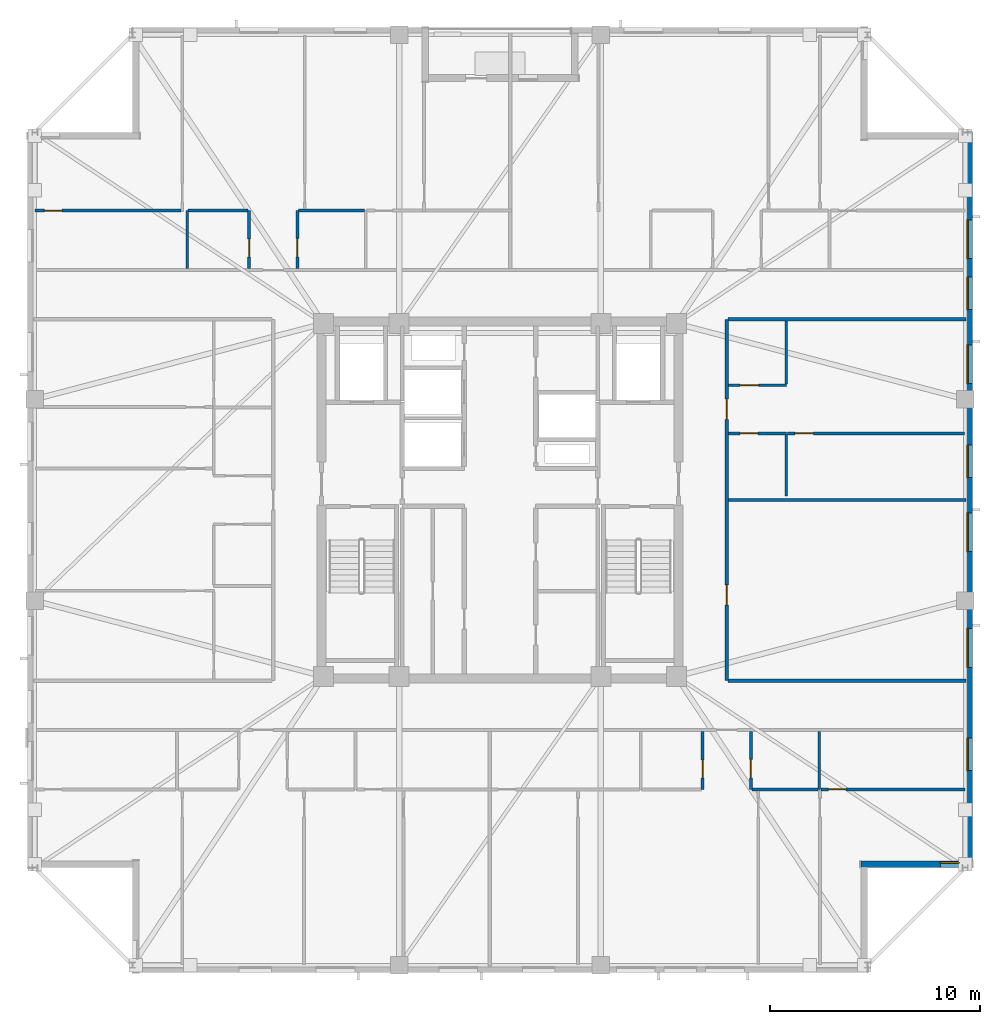
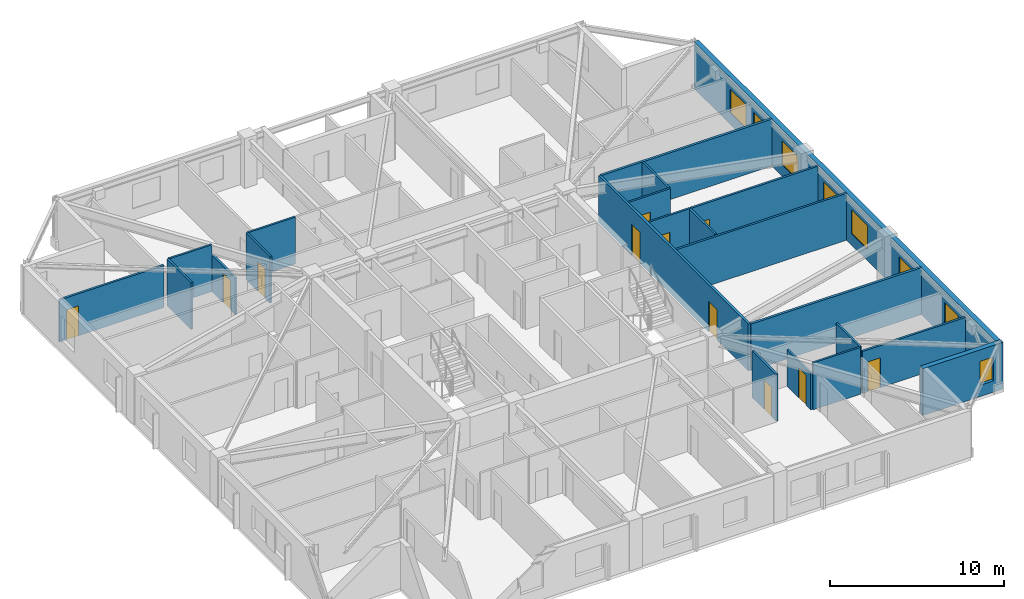
# One storey, part 10 of 17: 22 walls, 11 doors, 8 windows, 19 openings.
"""IFC4 building model written with IfcOpenShell, lengths in metres."""

from ifc_helpers import new_model, si_unit, direction, frame, frame_2d, origin, place, context, subcontext, project, spatial, rectangle, extrude, material, layer, layer_set, type_object, element, fill, save


model = new_model("IFC4")

# Units and contexts
model_context = context("Model", 3, precision=1e-05, world=origin(), true_north=direction((0.0, 1.0)))
body_context = subcontext(model_context, "Body", "Model", "MODEL_VIEW")
ifc_project = project(units=[si_unit("LENGTHUNIT", "METRE"), si_unit("AREAUNIT", "SQUARE_METRE"), si_unit("VOLUMEUNIT", "CUBIC_METRE"), si_unit("PLANEANGLEUNIT", "RADIAN"), si_unit("MASSUNIT", "GRAM", prefix="KILO")], contexts=[model_context])

# Site, building, storey
site_placement = place(None, origin())
site = spatial("IfcSite", under=ifc_project, at=site_placement, CompositionType="ELEMENT")
building_placement = place(site_placement, origin())
building = spatial("IfcBuilding", under=site, at=building_placement, Name="Cairnveth Concourse Tower", CompositionType="ELEMENT")
storey_placement = place(building_placement, frame((0.0, 0.0, 209.5)))
storey = spatial("IfcBuildingStorey", under=building, at=storey_placement, Name="L57", CompositionType="ELEMENT", Elevation=209.5)

# Wall, openings, doors
ifc_material_1 = material(Name="Gypsum Plasterboard Partition", Category="gypsum")
ifc_layer_1 = layer(ifc_material_1, 0.159912109375)
ifc_layer_set_1 = layer_set([ifc_layer_1], Name="Gypsum Plasterboard Partition")
wall_type_1 = type_object("IfcWallType", Name="ACOUSTIC PARTY WALL 180", PredefinedType="PARTITIONING", material=ifc_layer_set_1)
wall_1_placement = place(storey_placement, frame((62.800048828125, 30.39990234375, 0.0), z_axis=(0.0, 0.0, 1.0), x_axis=(0.0, 1.0, 0.0)))
wall_1 = element("IfcWall", 1, at=wall_1_placement, inside=storey, type_object=wall_type_1, Name="Interior Wall IW-L57-038", PredefinedType="PARTITIONING", context=body_context, shape_type="SweptSolid", body=[
    extrude(rectangle(XDim=17.2001953125, YDim=0.159912109375, at=frame_2d((8.60009765625, 0.0))), origin(), (0.0, 0.0, 1.0), 3.2900390625),
])
opening_1_placement = place(wall_1_placement, frame((3.60009765625, 0.0, 0.0)))
opening_1 = element("IfcOpeningElement", 2, at=opening_1_placement, cuts=wall_1, Name="Opening ID11", PredefinedType="OPENING", context=body_context, shape_type="SweptSolid", body=[
    extrude(rectangle(XDim=0.9599609375, YDim=2.1201171875, at=frame_2d((0.47998046875, 1.06005859375))), frame((0.0, 0.08984375, 0.0), z_axis=(0.0, -1.0, 0.0), x_axis=(1.0, 0.0, 0.0)), (0.0, 0.0, 1.0), 0.179931640625),
])
opening_2_placement = place(wall_1_placement, frame((12.43994140625, 0.0, 0.0)))
opening_2 = element("IfcOpeningElement", 3, at=opening_2_placement, cuts=wall_1, Name="Opening ID10", PredefinedType="OPENING", context=body_context, shape_type="SweptSolid", body=[
    extrude(rectangle(XDim=0.9599609375, YDim=2.179931640625, at=frame_2d((0.47998046875, 1.08984375))), frame((0.0, 0.08984375, 0.0), z_axis=(0.0, -1.0, 0.0), x_axis=(1.0, 0.0, 0.0)), (0.0, 0.0, 1.0), 0.179931640625),
])
ifc_material_2 = material(Name="Solid Core Hardwood Timber Leaf", Category="wood")
door_type_1 = type_object("IfcDoorType", Name="FLAT ENTRANCE DOOR 960X2150", OperationType="NOTDEFINED", PredefinedType="DOOR", material=ifc_material_2)
door_1_placement = place(opening_2_placement, origin())
door_1 = element("IfcDoor", 4, at=door_1_placement, inside=storey, type_object=door_type_1, Name="Apartment L57E1 Entrance Door", OperationType="SINGLE_SWING_LEFT", OverallHeight=2.179931640625, OverallWidth=0.9599609375, PredefinedType="DOOR", context=body_context, shape_type="SweptSolid", body=[
    extrude(rectangle(XDim=0.9599609375, YDim=2.179931640625, at=frame_2d((0.47998046875, 1.08984375))), frame((0.0, 0.02490234375, 0.0), z_axis=(0.0, -1.0, 0.0), x_axis=(1.0, 0.0, 0.0)), (0.0, 0.0, 1.0), 0.050048828125),
])
fill(opening_2, door_1)
door_type_2 = type_object("IfcDoorType", Name="INTERIOR SINGLE DOOR 960X2150", OperationType="NOTDEFINED", PredefinedType="DOOR", material=ifc_material_2)
door_2_placement = place(opening_1_placement, origin())
door_2 = element("IfcDoor", 5, at=door_2_placement, inside=storey, type_object=door_type_2, Name="Interior Door DR-L57-055", OperationType="SINGLE_SWING_LEFT", OverallHeight=2.1201171875, OverallWidth=0.9599609375, PredefinedType="DOOR", context=body_context, shape_type="SweptSolid", body=[
    extrude(rectangle(XDim=0.9599609375, YDim=2.1201171875, at=frame_2d((0.47998046875, 1.06005859375))), frame((0.0, 0.02490234375, 0.0), z_axis=(0.0, -1.0, 0.0), x_axis=(1.0, 0.0, 0.0)), (0.0, 0.0, 1.0), 0.050048828125),
])
fill(opening_1, door_2)

# Walls
for number, where, z_axis, x_axis, name in (
    (6, (62.864990234375, 30.39990234375, 0.0), (0.0, 0.0, 1.0), (1.0, 0.0, 0.0), "Interior Wall IW-L57-041"),
    (7, (62.864990234375, 47.60009765625, 0.0), (0.0, 0.0, 1.0), (1.0, 0.0, 0.0), "Interior Wall IW-L57-042"),
):
    element("IfcWall", number, at=place(storey_placement, frame(where, z_axis=z_axis, x_axis=x_axis)), inside=storey, type_object=wall_type_1, Name=name, PredefinedType="PARTITIONING", context=body_context, shape_type="SweptSolid", body=[
        extrude(rectangle(XDim=11.330078125, YDim=0.159912109375, at=frame_2d((5.6650390625, 0.0))), origin(), (0.0, 0.0, 1.0), 3.2900390625),
    ])

# Wall, opening, door
ifc_layer_2 = layer(ifc_material_1, 0.139892578125)
ifc_layer_set_2 = layer_set([ifc_layer_2], Name="Gypsum Plasterboard Partition")
wall_type_2 = type_object("IfcWallType", Name="GYPSUM STUD PARTITION 140", PredefinedType="PARTITIONING", material=ifc_layer_set_2)
wall_2_placement = place(storey_placement, frame((67.284912109375, 25.219970703125, 0.0), z_axis=(0.0, 0.0, 1.0), x_axis=(1.0, 0.0, 0.0)))
wall_2 = element("IfcWall", 8, at=wall_2_placement, inside=storey, type_object=wall_type_2, Name="Interior Wall IW-L57-064", PredefinedType="PARTITIONING", context=body_context, shape_type="SweptSolid", body=[
    extrude(rectangle(XDim=6.844970703125, YDim=0.139892578125, at=frame_2d((3.42236328125, 0.0))), origin(), (0.0, 0.0, 1.0), 2.9580078125),
])
opening_3_placement = place(wall_2_placement, frame((0.361083984375, 0.0, 0.0)))
opening_3 = element("IfcOpeningElement", 9, at=opening_3_placement, cuts=wall_2, Name="Opening ID22", PredefinedType="OPENING", context=body_context, shape_type="SweptSolid", body=[
    extrude(rectangle(XDim=0.820068359375, YDim=2.10009765625, at=frame_2d((0.41015625, 1.050048828125))), frame((0.0, 0.079833984375, 0.0), z_axis=(0.0, -1.0, 0.0), x_axis=(1.0, 0.0, 0.0)), (0.0, 0.0, 1.0), 0.159912109375),
])
door_type_3 = type_object("IfcDoorType", Name="INTERIOR WC DOOR 820X2100", OperationType="NOTDEFINED", PredefinedType="DOOR", material=ifc_material_2)
door_3_placement = place(opening_3_placement, origin())
door_3 = element("IfcDoor", 10, at=door_3_placement, inside=storey, type_object=door_type_3, Name="L57S2 Utility Door", OperationType="SINGLE_SWING_RIGHT", OverallHeight=2.10009765625, OverallWidth=0.820068359375, PredefinedType="DOOR", context=body_context, shape_type="SweptSolid", body=[
    extrude(rectangle(XDim=0.820068359375, YDim=2.10009765625, at=frame_2d((0.41015625, 1.050048828125))), frame((0.0, 0.02490234375, 0.0), z_axis=(0.0, -1.0, 0.0), x_axis=(1.0, 0.0, 0.0)), (0.0, 0.0, 1.0), 0.050048828125),
])
fill(opening_3, door_3)

wall_3_placement = place(storey_placement, frame((29.8701171875, 52.780029296875, 0.0), z_axis=(0.0, 0.0, 1.0), x_axis=(1.0, 0.0, 0.0)))
wall_3 = element("IfcWall", 11, at=wall_3_placement, inside=storey, type_object=wall_type_2, Name="Interior Wall IW-L57-073", PredefinedType="PARTITIONING", context=body_context, shape_type="SweptSolid", body=[
    extrude(rectangle(XDim=6.94482421875, YDim=0.139892578125, at=frame_2d((3.472412109375, 0.0))), origin(), (0.0, 0.0, 1.0), 2.9580078125),
])
opening_4_placement = place(wall_3_placement, frame((0.449951171875, 0.0, 0.0)))
opening_4 = element("IfcOpeningElement", 12, at=opening_4_placement, cuts=wall_3, Name="Opening ID22", PredefinedType="OPENING", context=body_context, shape_type="SweptSolid", body=[
    extrude(rectangle(XDim=0.820068359375, YDim=2.10009765625, at=frame_2d((0.41015625, 1.050048828125))), frame((0.0, 0.079833984375, 0.0), z_axis=(0.0, -1.0, 0.0), x_axis=(1.0, 0.0, 0.0)), (0.0, 0.0, 1.0), 0.159912109375),
])
door_4_placement = place(opening_4_placement, origin())
door_4 = element("IfcDoor", 13, at=door_4_placement, inside=storey, type_object=door_type_3, Name="L57N1 Dressing Door", OperationType="SINGLE_SWING_RIGHT", OverallHeight=2.10009765625, OverallWidth=0.820068359375, PredefinedType="DOOR", context=body_context, shape_type="SweptSolid", body=[
    extrude(rectangle(XDim=0.820068359375, YDim=2.10009765625, at=frame_2d((0.41015625, 1.050048828125))), frame((0.0, 0.02490234375, 0.0), z_axis=(0.0, -1.0, 0.0), x_axis=(1.0, 0.0, 0.0)), (0.0, 0.0, 1.0), 0.050048828125),
])
fill(opening_4, door_4)

# Wall
wall_4_placement = place(storey_placement, frame((62.8798828125, 39.0, 0.0), z_axis=(0.0, 0.0, 1.0), x_axis=(1.0, 0.0, 0.0)))
element("IfcWall", 14, at=wall_4_placement, inside=storey, type_object=wall_type_2, Name="Interior Wall IW-L57-099", PredefinedType="PARTITIONING", context=body_context, shape_type="SweptSolid", body=[
    extrude(rectangle(XDim=11.315185546875, YDim=0.139892578125, at=frame_2d((5.65771484375, 0.0))), origin(), (0.0, 0.0, 1.0), 3.2900390625),
])

# Wall, opening, door
wall_5_placement = place(storey_placement, frame((65.679931640625, 42.169921875, 0.0), z_axis=(0.0, 0.0, 1.0), x_axis=(1.0, 0.0, 0.0)))
wall_5 = element("IfcWall", 15, at=wall_5_placement, inside=storey, type_object=wall_type_2, Name="Interior Wall IW-L57-104", PredefinedType="PARTITIONING", context=body_context, shape_type="SweptSolid", body=[
    extrude(rectangle(XDim=8.440185546875, YDim=0.139892578125, at=frame_2d((4.22021484375, 0.0))), origin(), (0.0, 0.0, 1.0), 3.2900390625),
])
opening_5_placement = place(wall_5_placement, frame((0.360107421875, 0.0, 0.0)))
opening_5 = element("IfcOpeningElement", 16, at=opening_5_placement, cuts=wall_5, Name="Opening ID18", PredefinedType="OPENING", context=body_context, shape_type="SweptSolid", body=[
    extrude(rectangle(XDim=0.8798828125, YDim=2.10009765625, at=frame_2d((0.43994140625, 1.050048828125))), frame((0.0, 0.079833984375, 0.0), z_axis=(0.0, -1.0, 0.0), x_axis=(1.0, 0.0, 0.0)), (0.0, 0.0, 1.0), 0.159912109375),
])
door_type_4 = type_object("IfcDoorType", Name="INTERIOR SINGLE DOOR 880X2100", OperationType="NOTDEFINED", PredefinedType="DOOR", material=ifc_material_2)
door_5_placement = place(opening_5_placement, origin())
door_5 = element("IfcDoor", 17, at=door_5_placement, inside=storey, type_object=door_type_4, Name="L57E1 Master Bedroom Door", OperationType="SINGLE_SWING_RIGHT", OverallHeight=2.10009765625, OverallWidth=0.8798828125, PredefinedType="DOOR", context=body_context, shape_type="SweptSolid", body=[
    extrude(rectangle(XDim=0.8798828125, YDim=2.10009765625, at=frame_2d((0.43994140625, 1.050048828125))), frame((0.0, 0.02490234375, 0.0), z_axis=(0.0, -1.0, 0.0), x_axis=(1.0, 0.0, 0.0)), (0.0, 0.0, 1.0), 0.050048828125),
])
fill(opening_5, door_5)

ifc_layer_3 = layer(ifc_material_1, 0.1298828125)
ifc_layer_set_3 = layer_set([ifc_layer_3], Name="Gypsum Plasterboard Partition")
wall_type_3 = type_object("IfcWallType", Name="WET AREA PARTITION 140", PredefinedType="PLUMBINGWALL", material=ifc_layer_set_3)
wall_6_placement = place(storey_placement, frame((61.646240234375, 25.219970703125, 0.0), z_axis=(0.0, 0.0, 1.0), x_axis=(0.0, 1.0, 0.0)))
wall_6 = element("IfcWall", 18, at=wall_6_placement, inside=storey, type_object=wall_type_3, Name="Interior Wall IW-L57-056", PredefinedType="PLUMBINGWALL", context=body_context, shape_type="SweptSolid", body=[
    extrude(rectangle(XDim=2.75, YDim=0.1298828125, at=frame_2d((1.375, 0.0))), origin(), (0.0, 0.0, 1.0), 3.2900390625),
])
opening_6_placement = place(wall_6_placement, frame((0.550048828125, 0.0, 0.0)))
opening_6 = element("IfcOpeningElement", 19, at=opening_6_placement, cuts=wall_6, Name="Opening ID21", PredefinedType="OPENING", context=body_context, shape_type="SweptSolid", body=[
    extrude(rectangle(XDim=0.85009765625, YDim=2.080078125, at=frame_2d((0.425048828125, 1.0400390625))), frame((0.0, 0.074951171875, 0.0), z_axis=(0.0, -1.0, 0.0), x_axis=(1.0, 0.0, 0.0)), (0.0, 0.0, 1.0), 0.14990234375),
])
door_type_5 = type_object("IfcDoorType", Name="INTERIOR WC DOOR 850X2100", OperationType="NOTDEFINED", PredefinedType="DOOR", material=ifc_material_2)
door_6_placement = place(opening_6_placement, origin())
door_6 = element("IfcDoor", 20, at=door_6_placement, inside=storey, type_object=door_type_5, Name="L57S2 Bathroom Door", OperationType="SINGLE_SWING_RIGHT", OverallHeight=2.080078125, OverallWidth=0.85009765625, PredefinedType="DOOR", context=body_context, shape_type="SweptSolid", body=[
    extrude(rectangle(XDim=0.85009765625, YDim=2.080078125, at=frame_2d((0.425048828125, 1.0400390625))), frame((0.0, 0.02490234375, 0.0), z_axis=(0.0, -1.0, 0.0), x_axis=(1.0, 0.0, 0.0)), (0.0, 0.0, 1.0), 0.050048828125),
])
fill(opening_6, door_6)

# Wall
wall_7_placement = place(storey_placement, frame((67.1962890625, 25.219970703125, 0.0), z_axis=(0.0, 0.0, 1.0), x_axis=(0.0, 1.0, 0.0)))
element("IfcWall", 21, at=wall_7_placement, inside=storey, type_object=wall_type_3, Name="Interior Wall IW-L57-058", PredefinedType="PLUMBINGWALL", context=body_context, shape_type="SweptSolid", body=[
    extrude(rectangle(XDim=2.75, YDim=0.1298828125, at=frame_2d((1.375, 0.0))), origin(), (0.0, 0.0, 1.0), 3.2900390625),
])

# Wall, opening, door
wall_8_placement = place(storey_placement, frame((63.9462890625, 25.219970703125, 0.0), z_axis=(0.0, 0.0, 1.0), x_axis=(0.0, 1.0, 0.0)))
wall_8 = element("IfcWall", 22, at=wall_8_placement, inside=storey, type_object=wall_type_3, Name="Interior Wall IW-L57-059", PredefinedType="PLUMBINGWALL", context=body_context, shape_type="SweptSolid", body=[
    extrude(rectangle(XDim=2.75, YDim=0.1298828125, at=frame_2d((1.375, 0.0))), origin(), (0.0, 0.0, 1.0), 2.572998046875),
])
opening_7_placement = place(wall_8_placement, frame((0.550048828125, 0.0, 0.0)))
opening_7 = element("IfcOpeningElement", 23, at=opening_7_placement, cuts=wall_8, Name="Opening ID18", PredefinedType="OPENING", context=body_context, shape_type="SweptSolid", body=[
    extrude(rectangle(XDim=0.8798828125, YDim=2.10009765625, at=frame_2d((0.43994140625, 1.050048828125))), frame((0.0, 0.074951171875, 0.0), z_axis=(0.0, -1.0, 0.0), x_axis=(1.0, 0.0, 0.0)), (0.0, 0.0, 1.0), 0.14990234375),
])
door_7_placement = place(opening_7_placement, origin())
door_7 = element("IfcDoor", 24, at=door_7_placement, inside=storey, type_object=door_type_4, Name="L57S2 Kitchen Door", OperationType="SINGLE_SWING_LEFT", OverallHeight=2.10009765625, OverallWidth=0.8798828125, PredefinedType="DOOR", context=body_context, shape_type="SweptSolid", body=[
    extrude(rectangle(XDim=0.8798828125, YDim=2.10009765625, at=frame_2d((0.43994140625, 1.050048828125))), frame((0.0, 0.02490234375, 0.0), z_axis=(0.0, -1.0, 0.0), x_axis=(1.0, 0.0, 0.0)), (0.0, 0.0, 1.0), 0.050048828125),
])
fill(opening_7, door_7)

# Walls
wall_9_placement = place(storey_placement, frame((63.99609375, 25.219970703125, 0.0), z_axis=(0.0, 0.0, 1.0), x_axis=(1.0, 0.0, 0.0)))
element("IfcWall", 25, at=wall_9_placement, inside=storey, type_object=wall_type_3, Name="Interior Wall IW-L57-060", PredefinedType="PLUMBINGWALL", context=body_context, shape_type="SweptSolid", body=[
    extrude(rectangle(XDim=3.150146484375, YDim=0.1298828125, at=frame_2d((1.5751953125, 0.0))), origin(), (0.0, 0.0, 1.0), 3.2900390625),
])
wall_10_placement = place(storey_placement, frame((37.103759765625, 50.030029296875, 0.0), z_axis=(0.0, 0.0, 1.0), x_axis=(0.0, 1.0, 0.0)))
element("IfcWall", 26, at=wall_10_placement, inside=storey, type_object=wall_type_3, Name="Interior Wall IW-L57-066", PredefinedType="PLUMBINGWALL", context=body_context, shape_type="SweptSolid", body=[
    extrude(rectangle(XDim=2.75, YDim=0.1298828125, at=frame_2d((1.375, 0.0))), origin(), (0.0, 0.0, 1.0), 3.2900390625),
])

# Wall, opening, door
wall_11_placement = place(storey_placement, frame((40.0537109375, 50.030029296875, 0.0), z_axis=(0.0, 0.0, 1.0), x_axis=(0.0, 1.0, 0.0)))
wall_11 = element("IfcWall", 27, at=wall_11_placement, inside=storey, type_object=wall_type_3, Name="Interior Wall IW-L57-067", PredefinedType="PLUMBINGWALL", context=body_context, shape_type="SweptSolid", body=[
    extrude(rectangle(XDim=2.75, YDim=0.1298828125, at=frame_2d((1.375, 0.0))), origin(), (0.0, 0.0, 1.0), 2.572998046875),
])
opening_8_placement = place(wall_11_placement, frame((0.550048828125, 0.0, 0.0)))
opening_8 = element("IfcOpeningElement", 28, at=opening_8_placement, cuts=wall_11, Name="Opening ID21", PredefinedType="OPENING", context=body_context, shape_type="SweptSolid", body=[
    extrude(rectangle(XDim=0.85009765625, YDim=2.080078125, at=frame_2d((0.425048828125, 1.0400390625))), frame((0.0, 0.074951171875, 0.0), z_axis=(0.0, -1.0, 0.0), x_axis=(1.0, 0.0, 0.0)), (0.0, 0.0, 1.0), 0.14990234375),
])
door_8_placement = place(opening_8_placement, origin())
door_8 = element("IfcDoor", 29, at=door_8_placement, inside=storey, type_object=door_type_5, Name="L57N1 Bathroom Door", OperationType="SINGLE_SWING_RIGHT", OverallHeight=2.080078125, OverallWidth=0.85009765625, PredefinedType="DOOR", context=body_context, shape_type="SweptSolid", body=[
    extrude(rectangle(XDim=0.85009765625, YDim=2.080078125, at=frame_2d((0.425048828125, 1.0400390625))), frame((0.0, 0.02490234375, 0.0), z_axis=(0.0, -1.0, 0.0), x_axis=(1.0, 0.0, 0.0)), (0.0, 0.0, 1.0), 0.050048828125),
])
fill(opening_8, door_8)

# Wall
wall_12_placement = place(storey_placement, frame((37.15380859375, 52.780029296875, 0.0), z_axis=(0.0, 0.0, 1.0), x_axis=(1.0, 0.0, 0.0)))
element("IfcWall", 30, at=wall_12_placement, inside=storey, type_object=wall_type_3, Name="Interior Wall IW-L57-068", PredefinedType="PLUMBINGWALL", context=body_context, shape_type="SweptSolid", body=[
    extrude(rectangle(XDim=2.85009765625, YDim=0.1298828125, at=frame_2d((1.425048828125, 0.0))), origin(), (0.0, 0.0, 1.0), 3.2900390625),
])

# Wall, opening, door
wall_13_placement = place(storey_placement, frame((42.353759765625, 50.030029296875, 0.0), z_axis=(0.0, 0.0, 1.0), x_axis=(0.0, 1.0, 0.0)))
wall_13 = element("IfcWall", 31, at=wall_13_placement, inside=storey, type_object=wall_type_3, Name="Interior Wall IW-L57-070", PredefinedType="PLUMBINGWALL", context=body_context, shape_type="SweptSolid", body=[
    extrude(rectangle(XDim=2.75, YDim=0.1298828125, at=frame_2d((1.375, 0.0))), origin(), (0.0, 0.0, 1.0), 3.2900390625),
])
opening_9_placement = place(wall_13_placement, frame((0.550048828125, 0.0, 0.0)))
opening_9 = element("IfcOpeningElement", 32, at=opening_9_placement, cuts=wall_13, Name="Opening ID18", PredefinedType="OPENING", context=body_context, shape_type="SweptSolid", body=[
    extrude(rectangle(XDim=0.8798828125, YDim=2.10009765625, at=frame_2d((0.43994140625, 1.050048828125))), frame((0.0, 0.074951171875, 0.0), z_axis=(0.0, -1.0, 0.0), x_axis=(1.0, 0.0, 0.0)), (0.0, 0.0, 1.0), 0.14990234375),
])
door_9_placement = place(opening_9_placement, origin())
door_9 = element("IfcDoor", 33, at=door_9_placement, inside=storey, type_object=door_type_4, Name="L57N1 Kitchen Door", OperationType="SINGLE_SWING_LEFT", OverallHeight=2.10009765625, OverallWidth=0.8798828125, PredefinedType="DOOR", context=body_context, shape_type="SweptSolid", body=[
    extrude(rectangle(XDim=0.8798828125, YDim=2.10009765625, at=frame_2d((0.43994140625, 1.050048828125))), frame((0.0, 0.02490234375, 0.0), z_axis=(0.0, -1.0, 0.0), x_axis=(1.0, 0.0, 0.0)), (0.0, 0.0, 1.0), 0.050048828125),
])
fill(opening_9, door_9)

# Wall
wall_14_placement = place(storey_placement, frame((42.40380859375, 52.780029296875, 0.0), z_axis=(0.0, 0.0, 1.0), x_axis=(1.0, 0.0, 0.0)))
element("IfcWall", 34, at=wall_14_placement, inside=storey, type_object=wall_type_3, Name="Interior Wall IW-L57-071", PredefinedType="PLUMBINGWALL", context=body_context, shape_type="SweptSolid", body=[
    extrude(rectangle(XDim=3.14990234375, YDim=0.1298828125, at=frame_2d((1.574951171875, 0.0))), origin(), (0.0, 0.0, 1.0), 3.2900390625),
])

# Wall, opening, door
wall_15_placement = place(storey_placement, frame((62.8798828125, 42.169921875, 0.0), z_axis=(0.0, 0.0, 1.0), x_axis=(1.0, 0.0, 0.0)))
wall_15 = element("IfcWall", 35, at=wall_15_placement, inside=storey, type_object=wall_type_3, Name="Interior Wall IW-L57-100", PredefinedType="PLUMBINGWALL", context=body_context, shape_type="SweptSolid", body=[
    extrude(rectangle(XDim=2.75, YDim=0.1298828125, at=frame_2d((1.375, 0.0))), origin(), (0.0, 0.0, 1.0), 3.2900390625),
])
opening_10_placement = place(wall_15_placement, frame((0.550048828125, 0.0, 0.0)))
opening_10 = element("IfcOpeningElement", 36, at=opening_10_placement, cuts=wall_15, Name="Opening ID21", PredefinedType="OPENING", context=body_context, shape_type="SweptSolid", body=[
    extrude(rectangle(XDim=0.85009765625, YDim=2.080078125, at=frame_2d((0.425048828125, 1.0400390625))), frame((0.0, 0.074951171875, 0.0), z_axis=(0.0, -1.0, 0.0), x_axis=(1.0, 0.0, 0.0)), (0.0, 0.0, 1.0), 0.14990234375),
])
door_10_placement = place(opening_10_placement, origin())
door_10 = element("IfcDoor", 37, at=door_10_placement, inside=storey, type_object=door_type_5, Name="L57E1 Bathroom Door", OperationType="SINGLE_SWING_RIGHT", OverallHeight=2.080078125, OverallWidth=0.85009765625, PredefinedType="DOOR", context=body_context, shape_type="SweptSolid", body=[
    extrude(rectangle(XDim=0.85009765625, YDim=2.080078125, at=frame_2d((0.425048828125, 1.0400390625))), frame((0.0, 0.02490234375, 0.0), z_axis=(0.0, -1.0, 0.0), x_axis=(1.0, 0.0, 0.0)), (0.0, 0.0, 1.0), 0.050048828125),
])
fill(opening_10, door_10)

# Wall
wall_16_placement = place(storey_placement, frame((65.6298828125, 39.179931640625, 0.0), z_axis=(0.0, 0.0, 1.0), x_axis=(0.0, 1.0, 0.0)))
element("IfcWall", 38, at=wall_16_placement, inside=storey, type_object=wall_type_3, Name="Interior Wall IW-L57-101", PredefinedType="PLUMBINGWALL", context=body_context, shape_type="SweptSolid", body=[
    extrude(rectangle(XDim=2.940185546875, YDim=0.1298828125, at=frame_2d((1.47021484375, 0.0))), origin(), (0.0, 0.0, 1.0), 3.2900390625),
])

# Wall, opening, door
wall_17_placement = place(storey_placement, frame((62.8798828125, 44.469970703125, 0.0), z_axis=(0.0, 0.0, 1.0), x_axis=(1.0, 0.0, 0.0)))
wall_17 = element("IfcWall", 39, at=wall_17_placement, inside=storey, type_object=wall_type_3, Name="Interior Wall IW-L57-102", PredefinedType="PLUMBINGWALL", context=body_context, shape_type="SweptSolid", body=[
    extrude(rectangle(XDim=2.75, YDim=0.1298828125, at=frame_2d((1.375, 0.0))), origin(), (0.0, 0.0, 1.0), 3.2900390625),
])
opening_11_placement = place(wall_17_placement, frame((0.550048828125, 0.0, 0.0)))
opening_11 = element("IfcOpeningElement", 40, at=opening_11_placement, cuts=wall_17, Name="Opening ID18", PredefinedType="OPENING", context=body_context, shape_type="SweptSolid", body=[
    extrude(rectangle(XDim=0.8798828125, YDim=2.10009765625, at=frame_2d((0.43994140625, 1.050048828125))), frame((0.0, 0.074951171875, 0.0), z_axis=(0.0, -1.0, 0.0), x_axis=(1.0, 0.0, 0.0)), (0.0, 0.0, 1.0), 0.14990234375),
])
door_11_placement = place(opening_11_placement, origin())
door_11 = element("IfcDoor", 41, at=door_11_placement, inside=storey, type_object=door_type_4, Name="L57E1 Kitchen Door", OperationType="SINGLE_SWING_LEFT", OverallHeight=2.10009765625, OverallWidth=0.8798828125, PredefinedType="DOOR", context=body_context, shape_type="SweptSolid", body=[
    extrude(rectangle(XDim=0.8798828125, YDim=2.10009765625, at=frame_2d((0.43994140625, 1.050048828125))), frame((0.0, 0.02490234375, 0.0), z_axis=(0.0, -1.0, 0.0), x_axis=(1.0, 0.0, 0.0)), (0.0, 0.0, 1.0), 0.050048828125),
])
fill(opening_11, door_11)

# Wall
wall_18_placement = place(storey_placement, frame((65.6298828125, 44.52001953125, 0.0), z_axis=(0.0, 0.0, 1.0), x_axis=(0.0, 1.0, 0.0)))
element("IfcWall", 42, at=wall_18_placement, inside=storey, type_object=wall_type_3, Name="Interior Wall IW-L57-103", PredefinedType="PLUMBINGWALL", context=body_context, shape_type="SweptSolid", body=[
    extrude(rectangle(XDim=3.014892578125, YDim=0.1298828125, at=frame_2d((1.50732421875, 0.0))), origin(), (0.0, 0.0, 1.0), 3.2900390625),
])

# Wall, openings, windows
ifc_material_3 = material(Name="Melbourne Buff Fired Clay Brick Masonry", Category="masonry")
ifc_layer_4 = layer(ifc_material_3, 0.320068359375)
ifc_layer_set_4 = layer_set([ifc_layer_4], Name="Melbourne Buff Fired Clay Brick Masonry")
wall_type_4 = type_object("IfcWallType", Name="ZONE 3 BRICK PIER SPANDREL WALL 320", PredefinedType="SOLIDWALL", material=ifc_layer_set_4)
wall_19_placement = place(storey_placement, frame((74.340087890625, 56.5, 0.0), z_axis=(0.0, 0.0, 1.0), x_axis=(0.0, -1.0, 0.0)))
wall_19 = element("IfcWall", 43, at=wall_19_placement, inside=storey, type_object=wall_type_4, Name="Exterior Wall EW-L57-S03", PredefinedType="SOLIDWALL", context=body_context, shape_type="SweptSolid", body=[
    extrude(rectangle(XDim=34.701904296875, YDim=0.320068359375, at=frame_2d((17.35107421875, 0.0))), origin(), (0.0, 0.0, 1.0), 3.2900390625),
])
opening_12_placement = place(wall_19_placement, frame((4.16259765625, 0.0, 0.800048828125)))
opening_12 = element("IfcOpeningElement", 44, at=opening_12_placement, cuts=wall_19, Name="Opening W08", PredefinedType="OPENING", context=body_context, shape_type="SweptSolid", body=[
    extrude(rectangle(XDim=1.85009765625, YDim=1.677978515625, at=frame_2d((0.925048828125, 0.8388671875))), frame((0.0, 0.169921875, 0.0), z_axis=(0.0, -1.0, 0.0), x_axis=(1.0, 0.0, 0.0)), (0.0, 0.0, 1.0), 0.340087890625),
])
opening_13_placement = place(wall_19_placement, frame((6.887939453125, 0.0, 0.800048828125)))
opening_13 = element("IfcOpeningElement", 45, at=opening_13_placement, cuts=wall_19, Name="Opening W07", PredefinedType="OPENING", context=body_context, shape_type="SweptSolid", body=[
    extrude(rectangle(XDim=1.550048828125, YDim=1.677978515625, at=frame_2d((0.77490234375, 0.8388671875))), frame((0.0, 0.169921875, 0.0), z_axis=(0.0, -1.0, 0.0), x_axis=(1.0, 0.0, 0.0)), (0.0, 0.0, 1.0), 0.340087890625),
])
opening_14_placement = place(wall_19_placement, frame((10.113037109375, 0.0, 0.800048828125)))
opening_14 = element("IfcOpeningElement", 46, at=opening_14_placement, cuts=wall_19, Name="Opening W08", PredefinedType="OPENING", context=body_context, shape_type="SweptSolid", body=[
    extrude(rectangle(XDim=1.85009765625, YDim=1.677978515625, at=frame_2d((0.925048828125, 0.8388671875))), frame((0.0, 0.169921875, 0.0), z_axis=(0.0, -1.0, 0.0), x_axis=(1.0, 0.0, 0.0)), (0.0, 0.0, 1.0), 0.340087890625),
])
opening_15_placement = place(wall_19_placement, frame((14.888427734375, 0.0, 0.800048828125)))
opening_15 = element("IfcOpeningElement", 47, at=opening_15_placement, cuts=wall_19, Name="Opening W07", PredefinedType="OPENING", context=body_context, shape_type="SweptSolid", body=[
    extrude(rectangle(XDim=1.550048828125, YDim=1.677978515625, at=frame_2d((0.77490234375, 0.8388671875))), frame((0.0, 0.169921875, 0.0), z_axis=(0.0, -1.0, 0.0), x_axis=(1.0, 0.0, 0.0)), (0.0, 0.0, 1.0), 0.340087890625),
])
opening_16_placement = place(wall_19_placement, frame((18.113525390625, 0.0, 0.800048828125)))
opening_16 = element("IfcOpeningElement", 48, at=opening_16_placement, cuts=wall_19, Name="Opening W08", PredefinedType="OPENING", context=body_context, shape_type="SweptSolid", body=[
    extrude(rectangle(XDim=1.85009765625, YDim=1.677978515625, at=frame_2d((0.925048828125, 0.8388671875))), frame((0.0, 0.169921875, 0.0), z_axis=(0.0, -1.0, 0.0), x_axis=(1.0, 0.0, 0.0)), (0.0, 0.0, 1.0), 0.340087890625),
])
opening_17_placement = place(wall_19_placement, frame((23.614013671875, 0.0, 0.800048828125)))
opening_17 = element("IfcOpeningElement", 49, at=opening_17_placement, cuts=wall_19, Name="Opening W08", PredefinedType="OPENING", context=body_context, shape_type="SweptSolid", body=[
    extrude(rectangle(XDim=1.85009765625, YDim=1.677978515625, at=frame_2d((0.925048828125, 0.8388671875))), frame((0.0, 0.169921875, 0.0), z_axis=(0.0, -1.0, 0.0), x_axis=(1.0, 0.0, 0.0)), (0.0, 0.0, 1.0), 0.340087890625),
])
opening_18_placement = place(wall_19_placement, frame((28.83935546875, 0.0, 0.800048828125)))
opening_18 = element("IfcOpeningElement", 50, at=opening_18_placement, cuts=wall_19, Name="Opening W07", PredefinedType="OPENING", context=body_context, shape_type="SweptSolid", body=[
    extrude(rectangle(XDim=1.550048828125, YDim=1.677978515625, at=frame_2d((0.77490234375, 0.8388671875))), frame((0.0, 0.169921875, 0.0), z_axis=(0.0, -1.0, 0.0), x_axis=(1.0, 0.0, 0.0)), (0.0, 0.0, 1.0), 0.340087890625),
])
ifc_material_4 = material(Name="Double Glazed Low-E Clear Glass", Category="glass")
window_type_1 = type_object("IfcWindowType", Name="DEEP-SET APARTMENT LIVING WINDOW 1850X1850", PartitioningType="DOUBLE_PANEL_VERTICAL", PredefinedType="WINDOW", material=ifc_material_4)
window_1_placement = place(opening_12_placement, origin())
window_1 = element("IfcWindow", 51, at=window_1_placement, inside=storey, type_object=window_type_1, Name="Gothic Lancet Window L57-3-1", OverallHeight=1.677978515625, OverallWidth=1.85009765625, PartitioningType="SINGLE_PANEL", PredefinedType="WINDOW", context=body_context, shape_type="SweptSolid", body=[
    extrude(rectangle(XDim=1.85009765625, YDim=1.677978515625, at=frame_2d((0.925048828125, 0.8388671875))), frame((0.0, -0.050048828125, 0.0), z_axis=(0.0, -1.0, 0.0), x_axis=(1.0, 0.0, 0.0)), (0.0, 0.0, 1.0), 0.06005859375),
])
fill(opening_12, window_1)
window_2_placement = place(opening_14_placement, origin())
window_2 = element("IfcWindow", 52, at=window_2_placement, inside=storey, type_object=window_type_1, Name="Gothic Lancet Window L57-3-3", OverallHeight=1.677978515625, OverallWidth=1.85009765625, PartitioningType="SINGLE_PANEL", PredefinedType="WINDOW", context=body_context, shape_type="SweptSolid", body=[
    extrude(rectangle(XDim=1.85009765625, YDim=1.677978515625, at=frame_2d((0.925048828125, 0.8388671875))), frame((0.0, -0.050048828125, 0.0), z_axis=(0.0, -1.0, 0.0), x_axis=(1.0, 0.0, 0.0)), (0.0, 0.0, 1.0), 0.06005859375),
])
fill(opening_14, window_2)
window_3_placement = place(opening_16_placement, origin())
window_3 = element("IfcWindow", 53, at=window_3_placement, inside=storey, type_object=window_type_1, Name="Gothic Lancet Window L57-3-5", OverallHeight=1.677978515625, OverallWidth=1.85009765625, PartitioningType="SINGLE_PANEL", PredefinedType="WINDOW", context=body_context, shape_type="SweptSolid", body=[
    extrude(rectangle(XDim=1.85009765625, YDim=1.677978515625, at=frame_2d((0.925048828125, 0.8388671875))), frame((0.0, -0.050048828125, 0.0), z_axis=(0.0, -1.0, 0.0), x_axis=(1.0, 0.0, 0.0)), (0.0, 0.0, 1.0), 0.06005859375),
])
fill(opening_16, window_3)
window_4_placement = place(opening_17_placement, origin())
window_4 = element("IfcWindow", 54, at=window_4_placement, inside=storey, type_object=window_type_1, Name="Gothic Lancet Window L57-3-7", OverallHeight=1.677978515625, OverallWidth=1.85009765625, PartitioningType="SINGLE_PANEL", PredefinedType="WINDOW", context=body_context, shape_type="SweptSolid", body=[
    extrude(rectangle(XDim=1.85009765625, YDim=1.677978515625, at=frame_2d((0.925048828125, 0.8388671875))), frame((0.0, -0.050048828125, 0.0), z_axis=(0.0, -1.0, 0.0), x_axis=(1.0, 0.0, 0.0)), (0.0, 0.0, 1.0), 0.06005859375),
])
fill(opening_17, window_4)
window_type_2 = type_object("IfcWindowType", Name="DEEP-SET APARTMENT WINDOW 1550X1800", PartitioningType="DOUBLE_PANEL_VERTICAL", PredefinedType="WINDOW", material=ifc_material_4)
window_5_placement = place(opening_13_placement, origin())
window_5 = element("IfcWindow", 55, at=window_5_placement, inside=storey, type_object=window_type_2, Name="Gothic Lancet Window L57-3-2", OverallHeight=1.677978515625, OverallWidth=1.550048828125, PartitioningType="SINGLE_PANEL", PredefinedType="WINDOW", context=body_context, shape_type="SweptSolid", body=[
    extrude(rectangle(XDim=1.550048828125, YDim=1.677978515625, at=frame_2d((0.77490234375, 0.8388671875))), frame((0.0, -0.050048828125, 0.0), z_axis=(0.0, -1.0, 0.0), x_axis=(1.0, 0.0, 0.0)), (0.0, 0.0, 1.0), 0.06005859375),
])
fill(opening_13, window_5)
window_6_placement = place(opening_15_placement, origin())
window_6 = element("IfcWindow", 56, at=window_6_placement, inside=storey, type_object=window_type_2, Name="Gothic Lancet Window L57-3-4", OverallHeight=1.677978515625, OverallWidth=1.550048828125, PartitioningType="SINGLE_PANEL", PredefinedType="WINDOW", context=body_context, shape_type="SweptSolid", body=[
    extrude(rectangle(XDim=1.550048828125, YDim=1.677978515625, at=frame_2d((0.77490234375, 0.8388671875))), frame((0.0, -0.050048828125, 0.0), z_axis=(0.0, -1.0, 0.0), x_axis=(1.0, 0.0, 0.0)), (0.0, 0.0, 1.0), 0.06005859375),
])
fill(opening_15, window_6)
window_7_placement = place(opening_18_placement, origin())
window_7 = element("IfcWindow", 57, at=window_7_placement, inside=storey, type_object=window_type_2, Name="Gothic Lancet Window L57-3-8", OverallHeight=1.677978515625, OverallWidth=1.550048828125, PartitioningType="SINGLE_PANEL", PredefinedType="WINDOW", context=body_context, shape_type="SweptSolid", body=[
    extrude(rectangle(XDim=1.550048828125, YDim=1.677978515625, at=frame_2d((0.77490234375, 0.8388671875))), frame((0.0, -0.050048828125, 0.0), z_axis=(0.0, -1.0, 0.0), x_axis=(1.0, 0.0, 0.0)), (0.0, 0.0, 1.0), 0.06005859375),
])
fill(opening_18, window_7)

# Wall, opening, window
wall_20_placement = place(storey_placement, frame((74.5, 21.659912109375, 0.0), z_axis=(0.0, 0.0, 1.0), x_axis=(-1.0, 0.0, 0.0)))
wall_20 = element("IfcWall", 58, at=wall_20_placement, inside=storey, type_object=wall_type_4, Name="Exterior Wall EW-L57-S04", PredefinedType="SOLIDWALL", context=body_context, shape_type="SweptSolid", body=[
    extrude(rectangle(XDim=5.320068359375, YDim=0.320068359375, at=frame_2d((2.66015625, 0.0))), origin(), (0.0, 0.0, 1.0), 3.2900390625),
])
opening_19_placement = place(wall_20_placement, frame((0.6298828125, 0.0, 0.800048828125)))
opening_19 = element("IfcOpeningElement", 59, at=opening_19_placement, cuts=wall_20, Name="Opening W13", PredefinedType="OPENING", context=body_context, shape_type="SweptSolid", body=[
    extrude(rectangle(XDim=0.89990234375, YDim=1.677978515625, at=frame_2d((0.449951171875, 0.8388671875))), frame((0.0, 0.169921875, 0.0), z_axis=(0.0, -1.0, 0.0), x_axis=(1.0, 0.0, 0.0)), (0.0, 0.0, 1.0), 0.340087890625),
])
window_type_3 = type_object("IfcWindowType", Name="DEEP-SET BEDROOM LANCET WINDOW 900X1750", PartitioningType="DOUBLE_PANEL_VERTICAL", PredefinedType="WINDOW", material=ifc_material_4)
window_8_placement = place(opening_19_placement, origin())
window_8 = element("IfcWindow", 60, at=window_8_placement, inside=storey, type_object=window_type_3, Name="Dwelling Lancet Window L57-DW2", OverallHeight=1.677978515625, OverallWidth=0.89990234375, PartitioningType="SINGLE_PANEL", PredefinedType="WINDOW", context=body_context, shape_type="SweptSolid", body=[
    extrude(rectangle(XDim=0.89990234375, YDim=1.677978515625, at=frame_2d((0.449951171875, 0.8388671875))), frame((0.0, -0.0400390625, 0.0), z_axis=(0.0, -1.0, 0.0), x_axis=(1.0, 0.0, 0.0)), (0.0, 0.0, 1.0), 0.06005859375),
])
fill(opening_19, window_8)

save(model, "model.ifc")
